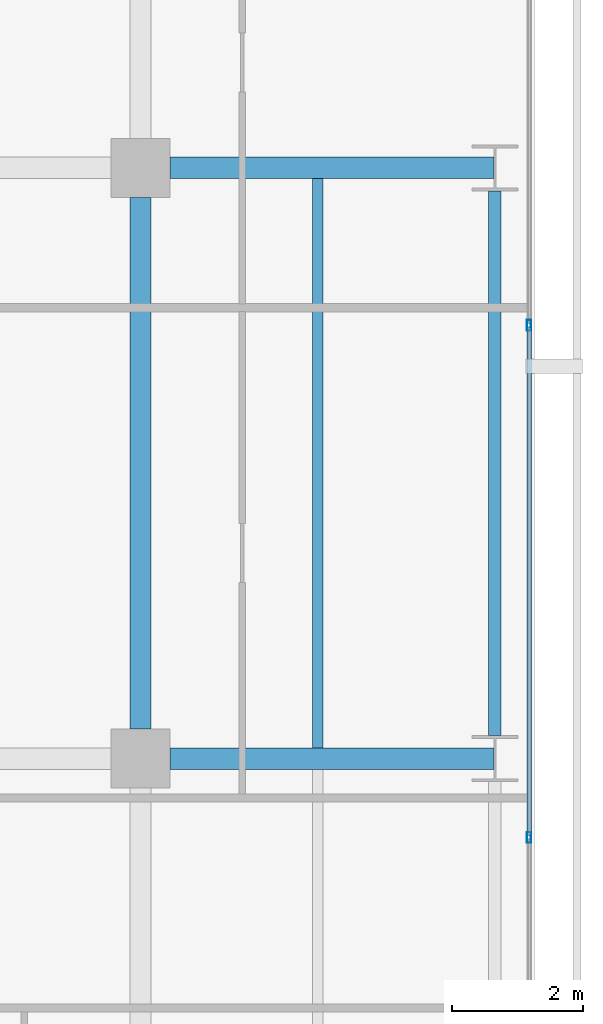
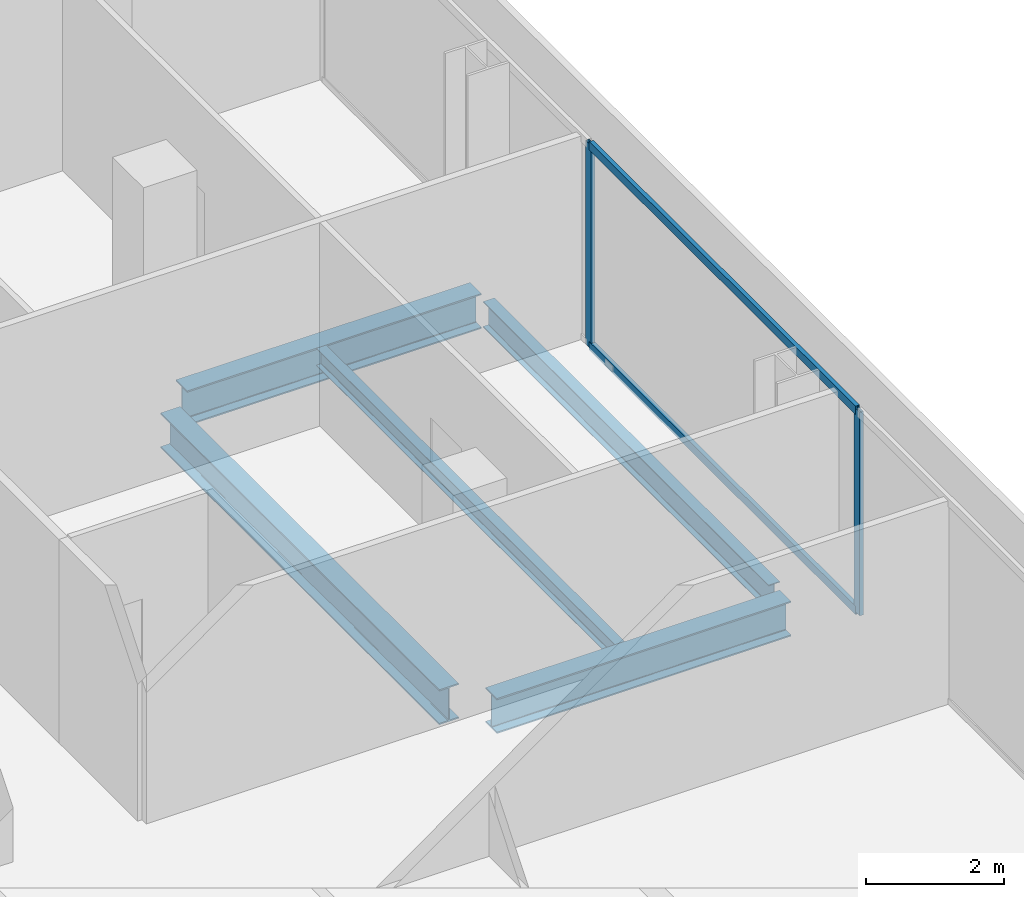
# One storey, part 28 of 40: 5 beams, 4 members, 1 element without a shape of its own.
"""IFC4 building model written with IfcOpenShell, lengths in metres."""

from ifc_helpers import new_model, si_unit, direction, frame, origin, origin_2d, place, context, subcontext, project, spatial, hollow_rectangle, i_section, extrude, material, layer, layer_set, material_profile, profile_set, type_object, element, aggregate, save


model = new_model("IFC4")

# Units and contexts
model_context = context("Model", 3, precision=1e-05, world=origin(), true_north=direction((0.0, 1.0)))
body_context = subcontext(model_context, "Body", "Model", "MODEL_VIEW")
ifc_project = project(units=[si_unit("LENGTHUNIT", "METRE"), si_unit("AREAUNIT", "SQUARE_METRE"), si_unit("VOLUMEUNIT", "CUBIC_METRE"), si_unit("PLANEANGLEUNIT", "RADIAN"), si_unit("MASSUNIT", "GRAM", prefix="KILO")], contexts=[model_context])

# Site, building, storey
site_placement = place(None, origin())
site = spatial("IfcSite", under=ifc_project, at=site_placement, CompositionType="ELEMENT")
building_placement = place(site_placement, origin())
building = spatial("IfcBuilding", under=site, at=building_placement, Name="Maruvema Waterfront Hotel and Observation Tower", CompositionType="ELEMENT")
storey_placement = place(building_placement, frame((0.0, 0.0, 50.050048828125)))
storey = spatial("IfcBuildingStorey", under=building, at=storey_placement, Name="L11", CompositionType="ELEMENT", Elevation=50.050048828125)

# Curtain wall, members
ifc_material_1 = material(Name="Anodised bronze aluminium and solar-control low-E IGU", Category="aluminium")
ifc_layer = layer(ifc_material_1, 0.159912109375, Name="Zone 1 Bronze Inner Thermal Curtain Wall System CW-02")
ifc_layer_set = layer_set([ifc_layer], Name="Anodised bronze aluminium and solar-control low-E IGU")
curtain_wall_type = type_object("IfcCurtainWallType", Name="Zone 1 Bronze Inner Thermal Curtain Wall System CW-02", PredefinedType="USERDEFINED", material=ifc_layer_set)
curtain_wall_placement = place(storey_placement, origin())
curtain_wall = element("IfcCurtainWall", 1, at=curtain_wall_placement, inside=storey, type_object=curtain_wall_type, Name="L11 Curtain Wall CW-L11-E", ObjectType="UNITISED CURTAIN WALL", PredefinedType="USERDEFINED")
ifc_material_2 = material(Name="Anodised architectural bronze aluminium", Category="aluminium")
ifc_material_profile_1 = material_profile(ifc_material_2, hollow_rectangle(XDim=0.070068359375, YDim=0.14990234375, WallThickness=0.00390625, at=origin_2d()), Name="ALU-T70x150")
ifc_profile_set_1 = profile_set([ifc_material_profile_1], Name="Anodised architectural bronze aluminium")
member_type_1 = type_object("IfcMemberType", Name="Curtain Wall Horizontal Transom ALU-T70x150", PredefinedType="USERDEFINED", material=ifc_profile_set_1)
member_1_placement = place(storey_placement, frame((64.719970703125, 34.830078125, 0.030029296875), z_axis=(0.0, 1.0, 0.0), x_axis=(-1.0, 0.0, 0.0)))
member_1 = element("IfcMember", 2, at=member_1_placement, type_object=member_type_1, Name="CW-02 transom 5.1", ObjectType="TRANSOM", PredefinedType="USERDEFINED", context=body_context, shape_type="SweptSolid", body=[
    extrude(hollow_rectangle(XDim=0.070068359375, YDim=0.14990234375, WallThickness=0.00390625, at=origin_2d()), origin(), (0.0, 0.0, 1.0), 7.739990234375),
])
member_2_placement = place(storey_placement, frame((64.719970703125, 34.830078125, 3.579833984375), z_axis=(0.0, 1.0, 0.0), x_axis=(-1.0, 0.0, 0.0)))
member_2 = element("IfcMember", 3, at=member_2_placement, type_object=member_type_1, Name="CW-02 transom 5.2", ObjectType="TRANSOM", PredefinedType="USERDEFINED", context=body_context, shape_type="SweptSolid", body=[
    extrude(hollow_rectangle(XDim=0.070068359375, YDim=0.14990234375, WallThickness=0.00390625, at=origin_2d()), origin(), (0.0, 0.0, 1.0), 7.739990234375),
])
ifc_material_3 = material(Name="Anodised architectural bronze aluminium", Category="aluminium")
ifc_material_profile_2 = material_profile(ifc_material_3, hollow_rectangle(XDim=0.06494140625, YDim=0.1650390625, WallThickness=0.00390625, at=origin_2d()), Name="ALU-M65x165")
ifc_profile_set_2 = profile_set([ifc_material_profile_2], Name="Anodised architectural bronze aluminium")
member_type_2 = type_object("IfcMemberType", Name="Curtain Wall Primary Mullion ALU-M65x165", PredefinedType="MULLION", material=ifc_profile_set_2)
member_3_placement = place(storey_placement, frame((64.719970703125, 34.800048828125, 0.0), z_axis=(0.0, 0.0, 1.0), x_axis=(-1.0, 0.0, 0.0)))
member_3 = element("IfcMember", 4, at=member_3_placement, type_object=member_type_2, Name="CW-02 mullion 5", PredefinedType="MULLION", context=body_context, shape_type="SweptSolid", body=[
    extrude(hollow_rectangle(XDim=0.06494140625, YDim=0.1650390625, WallThickness=0.00390625, at=origin_2d()), origin(), (0.0, 0.0, 1.0), 3.60986328125),
])
member_4_placement = place(storey_placement, frame((64.719970703125, 42.60009765625, 0.0), z_axis=(0.0, 0.0, 1.0), x_axis=(-1.0, 0.0, 0.0)))
member_4 = element("IfcMember", 5, at=member_4_placement, type_object=member_type_2, Name="CW-02 mullion 6", PredefinedType="MULLION", context=body_context, shape_type="SweptSolid", body=[
    extrude(hollow_rectangle(XDim=0.06494140625, YDim=0.1650390625, WallThickness=0.00390625, at=origin_2d()), origin(), (0.0, 0.0, 1.0), 3.60986328125),
])
aggregate(curtain_wall, [member_3, member_4, member_1, member_2])

# Beams
ifc_material_4 = material(Name="Steel ASTM A572 Grade 50", Category="steel")
ifc_material_profile_3 = material_profile(ifc_material_4, i_section(OverallWidth=0.18994140625, OverallDepth=0.45703125, WebThickness=0.009033203125, FlangeThickness=0.014404296875, FilletRadius=0.014892578125, at=origin_2d()), Name="W460x74.0")
ifc_profile_set_3 = profile_set([ifc_material_profile_3], Name="Steel ASTM A572 Grade 50")
beam_type_1 = type_object("IfcBeamType", Name="Perimeter Spandrel Beam W460x74.0", PredefinedType="SPANDREL", material=ifc_profile_set_3)
beam_1_placement = place(storey_placement, frame((64.199951171875, 36.35009765625, -0.468505859375), z_axis=(0.0, 1.0, 0.0), x_axis=(-1.0, 0.0, 0.0)))
element("IfcBeam", 6, at=beam_1_placement, inside=storey, type_object=beam_type_1, Name="L11 Floor Girder NS-36", PredefinedType="SPANDREL", context=body_context, shape_type="SweptSolid", body=[
    extrude(i_section(OverallWidth=0.18994140625, OverallDepth=0.45703125, WebThickness=0.009033203125, FlangeThickness=0.014404296875, FilletRadius=0.014892578125, at=origin_2d()), origin(), (0.0, 0.0, 1.0), 8.2998046875),
])
ifc_material_5 = material(Name="Steel ASTM A572 Grade 50", Category="steel")
ifc_material_profile_4 = material_profile(ifc_material_5, i_section(OverallWidth=0.326904296875, OverallDepth=0.6220703125, WebThickness=0.015380859375, FlangeThickness=0.0244140625, FilletRadius=0.01806640625, at=origin_2d()), Name="W610x195.0")
ifc_profile_set_4 = profile_set([ifc_material_profile_4], Name="Steel ASTM A572 Grade 50")
beam_type_2 = type_object("IfcBeamType", Name="Primary Floor Girder W610x195.0", PredefinedType="BEAM", material=ifc_profile_set_4)
for number, where, z_axis, x_axis, name in (
    (7, (59.25, 36.0, -0.551025390625), (1.0, 0.0, 0.0), (0.0, 1.0, 0.0), "L11 Floor Girder EW-31"),
    (8, (59.25, 45.0, -0.551025390625), (1.0, 0.0, 0.0), (0.0, 1.0, 0.0), "L11 Floor Girder EW-35"),
):
    element("IfcBeam", number, at=place(storey_placement, frame(where, z_axis=z_axis, x_axis=x_axis)), inside=storey, type_object=beam_type_2, Name=name, PredefinedType="BEAM", context=body_context, shape_type="SweptSolid", body=[
        extrude(i_section(OverallWidth=0.326904296875, OverallDepth=0.6220703125, WebThickness=0.015380859375, FlangeThickness=0.0244140625, FilletRadius=0.01806640625, at=origin_2d()), origin(), (0.0, 0.0, 1.0), 4.93603515625),
    ])
beam_2_placement = place(storey_placement, frame((58.800048828125, 36.449951171875, -0.551025390625), z_axis=(0.0, 1.0, 0.0), x_axis=(-1.0, 0.0, 0.0)))
element("IfcBeam", 9, at=beam_2_placement, inside=storey, type_object=beam_type_2, Name="L11 Floor Girder NS-31", PredefinedType="BEAM", context=body_context, shape_type="SweptSolid", body=[
    extrude(i_section(OverallWidth=0.326904296875, OverallDepth=0.6220703125, WebThickness=0.015380859375, FlangeThickness=0.0244140625, FilletRadius=0.01806640625, at=origin_2d()), origin(), (0.0, 0.0, 1.0), 8.10009765625),
])
ifc_material_6 = material(Name="Steel ASTM A572 Grade 50", Category="steel")
ifc_material_profile_5 = material_profile(ifc_material_6, i_section(OverallWidth=0.1650390625, OverallDepth=0.31005859375, WebThickness=0.005859375, FlangeThickness=0.009765625, FilletRadius=0.012939453125, at=origin_2d()), Name="W310x38.7")
ifc_profile_set_5 = profile_set([ifc_material_profile_5], Name="Steel ASTM A572 Grade 50")
beam_type_3 = type_object("IfcBeamType", Name="Secondary Floor Joist W310x38.7", PredefinedType="JOIST", material=ifc_profile_set_5)
beam_3_placement = place(storey_placement, frame((61.5, 36.16357421875, -0.39501953125), z_axis=(0.0, 1.0, 0.0), x_axis=(-1.0, 0.0, 0.0)))
element("IfcBeam", 10, at=beam_3_placement, inside=storey, type_object=beam_type_3, Name="L11 Secondary Floor Joist JS-24", PredefinedType="JOIST", context=body_context, shape_type="SweptSolid", body=[
    extrude(i_section(OverallWidth=0.1650390625, OverallDepth=0.31005859375, WebThickness=0.005859375, FlangeThickness=0.009765625, FilletRadius=0.012939453125, at=origin_2d()), origin(), (0.0, 0.0, 1.0), 8.6728515625),
])

save(model, "model.ifc")
